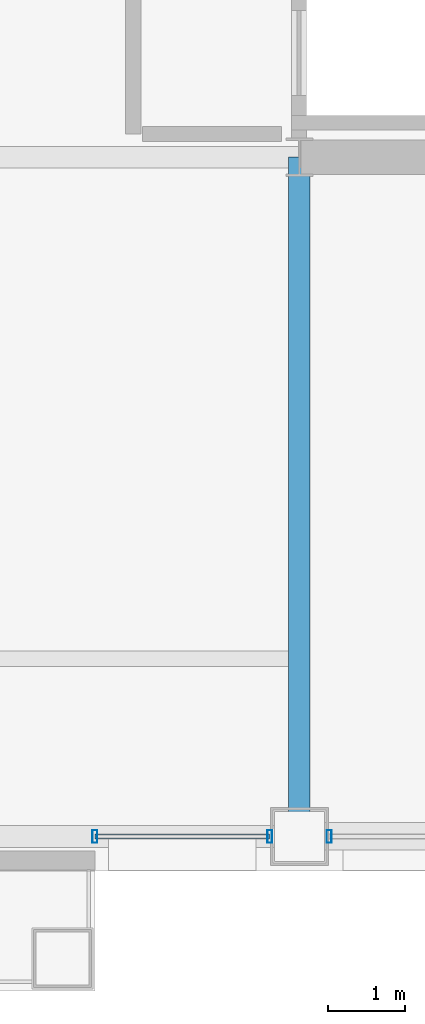
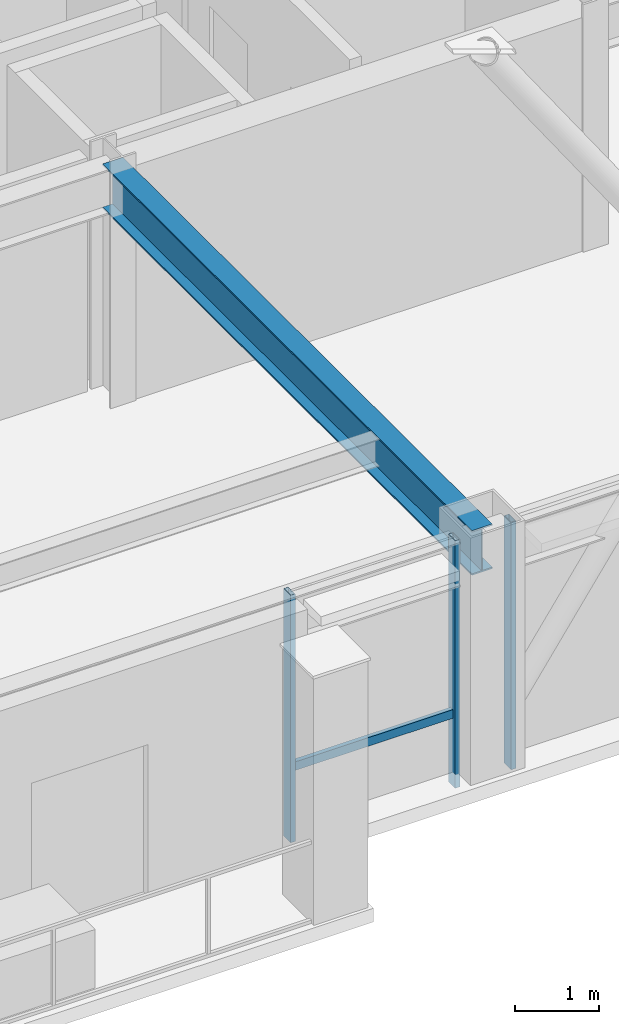
# One storey, part 8 of 30: 4 members, 1 beam, 2 elements without a shape of their own.
"""IFC4 building model written with IfcOpenShell, lengths in metres."""

from ifc_helpers import new_model, si_unit, direction, frame, origin, origin_2d, place, context, subcontext, project, spatial, hollow_rectangle, i_section, extrude, material, layer, layer_set, material_profile, profile_set, type_object, element, aggregate, save


model = new_model("IFC4")

# Units and contexts
model_context = context("Model", 3, precision=1e-05, world=origin(), true_north=direction((0.0, 1.0)))
body_context = subcontext(model_context, "Body", "Model", "MODEL_VIEW")
ifc_project = project(units=[si_unit("LENGTHUNIT", "METRE"), si_unit("AREAUNIT", "SQUARE_METRE"), si_unit("VOLUMEUNIT", "CUBIC_METRE"), si_unit("PLANEANGLEUNIT", "RADIAN"), si_unit("MASSUNIT", "GRAM", prefix="KILO")], contexts=[model_context])

# Site, building, storey
site_placement = place(None, origin())
site = spatial("IfcSite", under=ifc_project, at=site_placement, CompositionType="ELEMENT")
building_placement = place(site_placement, origin())
building = spatial("IfcBuilding", under=site, at=building_placement, Name="Brelmoor Portico Tower", CompositionType="ELEMENT")
storey_placement = place(building_placement, frame((0.0, 0.0, 173.10009765625)))
storey = spatial("IfcBuildingStorey", under=building, at=storey_placement, Name="L45", CompositionType="ELEMENT", Elevation=173.10009765625)

# Beam
ifc_material_1 = material(Name="Steel Q355B", Category="steel")
ifc_material_profile_1 = material_profile(ifc_material_1, i_section(OverallWidth=0.280029296875, OverallDepth=0.64990234375, WebThickness=0.012939453125, FlangeThickness=0.02197265625, at=origin_2d()), Name="HN 650x280x13x22")
ifc_profile_set_1 = profile_set([ifc_material_profile_1], Name="Steel Q355B")
beam_type = type_object("IfcBeamType", Name="BM-PG-650", PredefinedType="BEAM", material=ifc_profile_set_1)
beam_placement = place(storey_placement, frame((8.050048828125, -18.550048828125, 3.074951171875), z_axis=(0.0, 1.0, 0.0), x_axis=(-1.0, 0.0, 0.0)))
element("IfcBeam", 1, at=beam_placement, inside=storey, type_object=beam_type, Name="L45 Primary Floor Girder PG-06", PredefinedType="BEAM", context=body_context, shape_type="SweptSolid", body=[
    extrude(i_section(OverallWidth=0.280029296875, OverallDepth=0.64990234375, WebThickness=0.012939453125, FlangeThickness=0.02197265625, at=origin_2d()), origin(), (0.0, 0.0, 1.0), 8.800048828125),
])

# Curtain wall, members
ifc_material_2 = material(Name="Anodised Aluminium Alloy 6063-T6", Category="aluminium")
ifc_layer_1 = layer(ifc_material_2, 0.179931640625)
ifc_layer_set_1 = layer_set([ifc_layer_1], Name="Anodised Aluminium Alloy 6063-T6")
curtain_wall_type_1 = type_object("IfcCurtainWallType", Name="CW-TOWER-Z3", PredefinedType="NOTDEFINED", material=ifc_layer_set_1)
curtain_wall_1_placement = place(storey_placement, origin())
curtain_wall_1 = element("IfcCurtainWall", 2, at=curtain_wall_1_placement, inside=storey, type_object=curtain_wall_type_1, Name="L45 Curtain Wall CW-L45-1R-1", PredefinedType="NOTDEFINED")
ifc_material_profile_2 = material_profile(ifc_material_2, hollow_rectangle(XDim=0.06494140625, YDim=0.1650390625, WallThickness=0.00390625, at=origin_2d()), Name="ALU MULLION 65x165")
ifc_profile_set_2 = profile_set([ifc_material_profile_2], Name="Anodised Aluminium Alloy 6063-T6")
member_type_1 = type_object("IfcMemberType", Name="MB-CW-MULL-165", PredefinedType="MULLION", material=ifc_profile_set_2)
member_1_placement = place(storey_placement, frame((5.39990234375, -18.550048828125, -0.2001953125), z_axis=(0.0, 0.0, 1.0), x_axis=(1.0, 0.0, 0.0)))
member_1 = element("IfcMember", 3, at=member_1_placement, type_object=member_type_1, Name="CW-L45-1R-1 Mullion 00", PredefinedType="MULLION", context=body_context, shape_type="SweptSolid", body=[
    extrude(hollow_rectangle(XDim=0.06494140625, YDim=0.1650390625, WallThickness=0.00390625, at=origin_2d()), origin(), (0.0, 0.0, 1.0), 3.60009765625),
])
member_2_placement = place(storey_placement, frame((7.6650390625, -18.550048828125, -0.2001953125), z_axis=(0.0, 0.0, 1.0), x_axis=(1.0, 0.0, 0.0)))
member_2 = element("IfcMember", 4, at=member_2_placement, type_object=member_type_1, Name="CW-L45-1R-1 Mullion 01", PredefinedType="MULLION", context=body_context, shape_type="SweptSolid", body=[
    extrude(hollow_rectangle(XDim=0.06494140625, YDim=0.1650390625, WallThickness=0.00390625, at=origin_2d()), origin(), (0.0, 0.0, 1.0), 3.60009765625),
])

# Curtain wall, member
ifc_layer_2 = layer(ifc_material_2, 0.179931640625)
ifc_layer_set_2 = layer_set([ifc_layer_2], Name="Anodised Aluminium Alloy 6063-T6")
curtain_wall_type_2 = type_object("IfcCurtainWallType", Name="CW-TOWER-Z3-XB", PredefinedType="NOTDEFINED", material=ifc_layer_set_2)
curtain_wall_2_placement = place(storey_placement, origin())
curtain_wall_2 = element("IfcCurtainWall", 5, at=curtain_wall_2_placement, inside=storey, type_object=curtain_wall_type_2, Name="L45 Curtain Wall CW-L45-1R-2", PredefinedType="NOTDEFINED")
member_3_placement = place(storey_placement, frame((8.43505859375, -18.550048828125, -0.2001953125), z_axis=(0.0, 0.0, 1.0), x_axis=(1.0, 0.0, 0.0)))
member_3 = element("IfcMember", 6, at=member_3_placement, type_object=member_type_1, Name="CW-L45-1R-2 Mullion 00", PredefinedType="MULLION", context=body_context, shape_type="SweptSolid", body=[
    extrude(hollow_rectangle(XDim=0.06494140625, YDim=0.1650390625, WallThickness=0.00390625, at=origin_2d()), origin(), (0.0, 0.0, 1.0), 3.60009765625),
])
aggregate(curtain_wall_2, [member_3])

# Member
ifc_material_profile_3 = material_profile(ifc_material_2, hollow_rectangle(XDim=0.06005859375, YDim=0.125, WallThickness=0.00341796875, at=origin_2d()), Name="ALU TRANSOM 60x125")
ifc_profile_set_3 = profile_set([ifc_material_profile_3], Name="Anodised Aluminium Alloy 6063-T6")
member_type_2 = type_object("IfcMemberType", Name="MB-CW-TRAN-125", PredefinedType="USERDEFINED", material=ifc_profile_set_3)
member_4_placement = place(storey_placement, frame((5.39990234375, -18.550048828125, 0.849853515625), z_axis=(1.0, 0.0, 0.0), x_axis=(0.0, 1.0, 0.0)))
member_4 = element("IfcMember", 7, at=member_4_placement, type_object=member_type_2, Name="CW-L45-1R-1 Transom 1-00", ObjectType="TRANSOM", PredefinedType="USERDEFINED", context=body_context, shape_type="SweptSolid", body=[
    extrude(hollow_rectangle(XDim=0.06005859375, YDim=0.125, WallThickness=0.00341796875, at=origin_2d()), origin(), (0.0, 0.0, 1.0), 2.26513671875),
])

aggregate(curtain_wall_1, [member_1, member_2, member_4])

save(model, "model.ifc")
